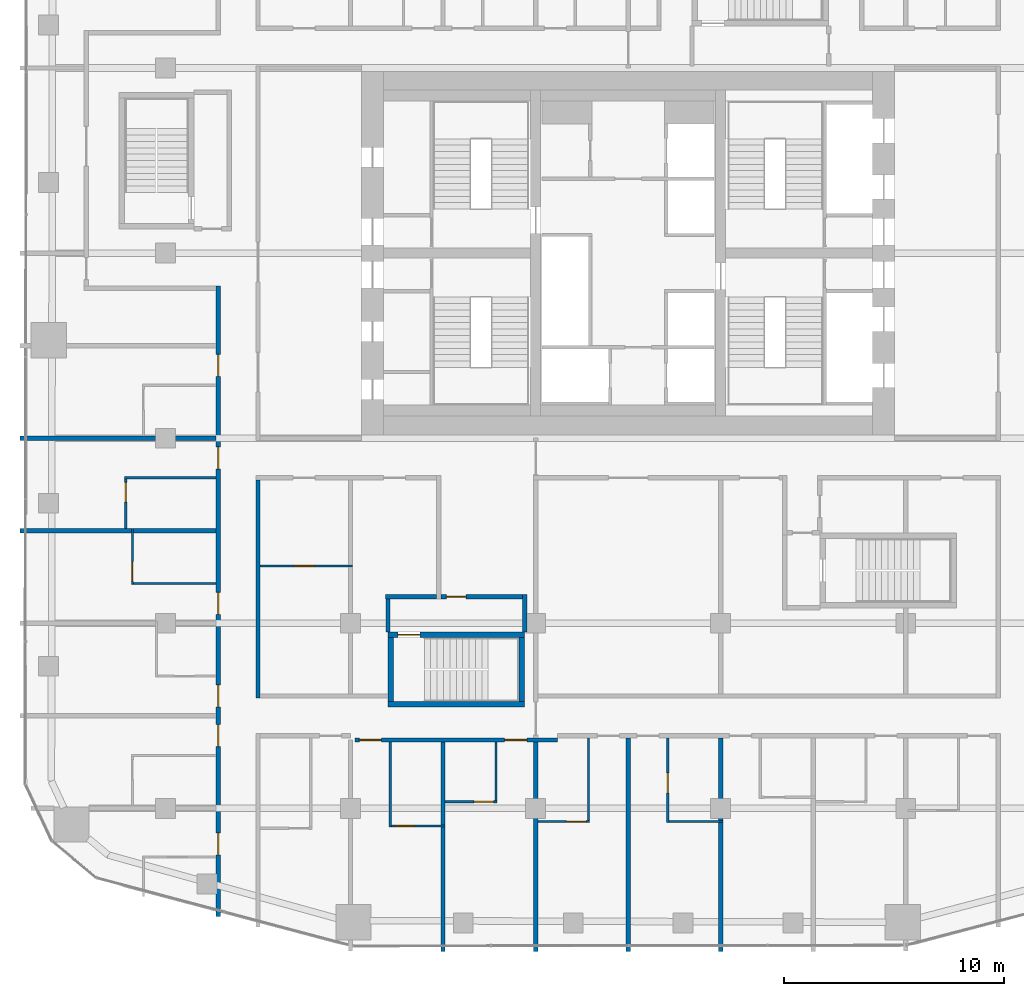
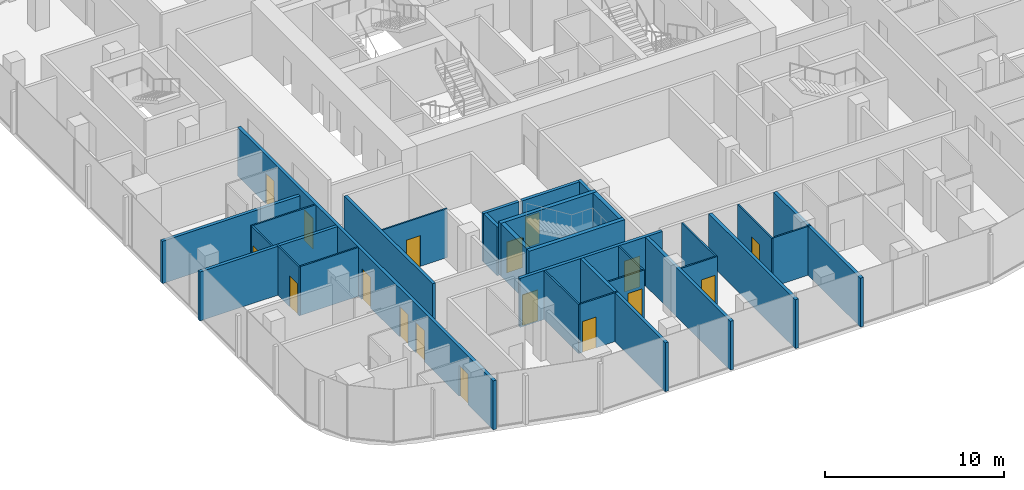
# One storey, part 14 of 23: 30 walls, 17 doors, 17 openings.
"""IFC4 building model written with IfcOpenShell, lengths in metres."""

from ifc_helpers import new_model, si_unit, direction, frame, frame_2d, origin, place, context, subcontext, project, spatial, rectangle, extrude, material, layer, layer_set, type_object, element, fill, save


model = new_model("IFC4")

# Units and contexts
model_context = context("Model", 3, precision=1e-05, world=origin(), true_north=direction((0.0, 1.0)))
body_context = subcontext(model_context, "Body", "Model", "MODEL_VIEW")
ifc_project = project(units=[si_unit("LENGTHUNIT", "METRE"), si_unit("AREAUNIT", "SQUARE_METRE"), si_unit("VOLUMEUNIT", "CUBIC_METRE"), si_unit("PLANEANGLEUNIT", "RADIAN"), si_unit("MASSUNIT", "GRAM", prefix="KILO")], contexts=[model_context])

# Site, building, storey
site_placement = place(None, origin())
site = spatial("IfcSite", under=ifc_project, at=site_placement, CompositionType="ELEMENT")
building_placement = place(site_placement, origin())
building = spatial("IfcBuilding", under=site, at=building_placement, Name="Marenta Gate Hotel Tower", CompositionType="ELEMENT")
storey_placement = place(building_placement, frame((0.0, 0.0, 112.10009765625)))
storey = spatial("IfcBuildingStorey", under=building, at=storey_placement, Name="L24", CompositionType="ELEMENT", Elevation=112.10009765625)

# Walls
ifc_material_1 = material(Name="Concrete blockwork", Category="masonry")
ifc_layer_1 = layer(ifc_material_1, 0.199951171875)
ifc_layer_set_1 = layer_set([ifc_layer_1], Name="Concrete blockwork")
wall_type_1 = type_object("IfcWallType", Name="Compartment wall 200 REI 180", PredefinedType="PARTITIONING", material=ifc_layer_set_1)
wall_1_placement = place(storey_placement, frame((-4.199951171875, -23.300048828125, 0.0), z_axis=(0.0, 0.0, 1.0), x_axis=(0.0, 1.0, 0.0)))
element("IfcWall", 1, at=wall_1_placement, inside=storey, type_object=wall_type_1, Name="L24-PTN-W078", PredefinedType="PARTITIONING", context=body_context, shape_type="SweptSolid", body=[
    extrude(rectangle(XDim=9.5, YDim=0.199951171875, at=frame_2d((4.75, 0.0))), origin(), (0.0, 0.0, 1.0), 3.33984375),
])
ifc_material_2 = material(Name="Concrete C40", Category="concrete")
ifc_layer_2 = layer(ifc_material_2, 0.25)
ifc_layer_set_2 = layer_set([ifc_layer_2], Name="Concrete C40")
wall_type_2 = type_object("IfcWallType", Name="Remote stair enclosure wall 250 REI 180", PredefinedType="SHEAR", material=ifc_layer_set_2)
wall_2_placement = place(storey_placement, frame((-10.89990234375, -12.074951171875, 0.099853515625), z_axis=(0.0, 0.0, 1.0), x_axis=(1.0, 0.0, 0.0)))
element("IfcWall", 2, at=wall_2_placement, inside=storey, type_object=wall_type_2, Name="L24-RS-Z2-1-W1", PredefinedType="SHEAR", context=body_context, shape_type="SweptSolid", body=[
    extrude(rectangle(XDim=6.199951171875, YDim=0.25, at=frame_2d((3.10009765625, 0.0))), origin(), (0.0, 0.0, 1.0), 3.60009765625),
])

# Wall, opening, door
wall_3_placement = place(storey_placement, frame((-10.89990234375, -8.925048828125, 0.099853515625), z_axis=(0.0, 0.0, 1.0), x_axis=(1.0, 0.0, 0.0)))
wall_3 = element("IfcWall", 3, at=wall_3_placement, inside=storey, type_object=wall_type_2, Name="L24-RS-Z2-1-W2", PredefinedType="SHEAR", context=body_context, shape_type="SweptSolid", body=[
    extrude(rectangle(XDim=6.199951171875, YDim=0.25, at=frame_2d((3.10009765625, 0.0))), origin(), (0.0, 0.0, 1.0), 3.60009765625),
])
opening_1_placement = place(wall_3_placement, frame((0.449951171875, 0.0, 0.0)))
opening_1 = element("IfcOpeningElement", 4, at=opening_1_placement, cuts=wall_3, Name="Opening VD", PredefinedType="OPENING", context=body_context, shape_type="SweptSolid", body=[
    extrude(rectangle(XDim=1.0, YDim=2.10009765625, at=frame_2d((0.5, 1.050048828125))), frame((0.0, 0.125, 0.0), z_axis=(0.0, -1.0, 0.0), x_axis=(1.0, 0.0, 0.0)), (0.0, 0.0, 1.0), 0.25),
])
ifc_material_3 = material(Name="Steel", Category="steel")
door_type_1 = type_object("IfcDoorType", Name="Stair vestibule door 1000x2100 FD60", OperationType="SINGLE_SWING_LEFT", PredefinedType="DOOR", material=ifc_material_3)
door_1_placement = place(opening_1_placement, origin())
door_1 = element("IfcDoor", 5, at=door_1_placement, inside=storey, type_object=door_type_1, Name="VD", OperationType="SINGLE_SWING_LEFT", OverallHeight=2.10009765625, OverallWidth=1.0, PredefinedType="DOOR", context=body_context, shape_type="SweptSolid", body=[
    extrude(rectangle(XDim=1.0, YDim=2.10009765625, at=frame_2d((0.5, 1.050048828125))), frame((0.0, 0.02490234375, 0.0), z_axis=(0.0, -1.0, 0.0), x_axis=(1.0, 0.0, 0.0)), (0.0, 0.0, 1.0), 0.050048828125),
])
fill(opening_1, door_1)

# Walls
for number, where, z_axis, x_axis, name in (
    (6, (-10.77490234375, -11.949951171875, 0.099853515625), (0.0, 0.0, 1.0), (0.0, 1.0, 0.0), "L24-RS-Z2-1-W3"),
    (7, (-4.824951171875, -11.949951171875, 0.099853515625), (0.0, 0.0, 1.0), (0.0, 1.0, 0.0), "L24-RS-Z2-1-W4"),
):
    element("IfcWall", number, at=place(storey_placement, frame(where, z_axis=z_axis, x_axis=x_axis)), inside=storey, type_object=wall_type_2, Name=name, PredefinedType="SHEAR", context=body_context, shape_type="SweptSolid", body=[
        extrude(rectangle(XDim=2.89990234375, YDim=0.25, at=frame_2d((1.449951171875, 0.0))), origin(), (0.0, 0.0, 1.0), 3.60009765625),
    ])

# Wall, openings, doors
ifc_material_4 = material(Name="Gypsum board on steel stud", Category="steel")
ifc_layer_3 = layer(ifc_material_4, 0.199951171875)
ifc_layer_set_3 = layer_set([ifc_layer_3], Name="Gypsum board on steel stud")
wall_type_3 = type_object("IfcWallType", Name="Room corridor wall 200 EI 60", PredefinedType="PARTITIONING", material=ifc_layer_set_3)
wall_4_placement = place(storey_placement, frame((-12.39990234375, -13.699951171875, 0.0), z_axis=(0.0, 0.0, 1.0), x_axis=(1.0, 0.0, 0.0)))
wall_4 = element("IfcWall", 8, at=wall_4_placement, inside=storey, type_object=wall_type_3, Name="L24-PTN-W028", PredefinedType="PARTITIONING", context=body_context, shape_type="SweptSolid", body=[
    extrude(rectangle(XDim=9.199951171875, YDim=0.199951171875, at=frame_2d((4.60009765625, 0.0))), origin(), (0.0, 0.0, 1.0), 3.33984375),
])
opening_2_placement = place(wall_4_placement, frame((0.199951171875, 0.0, 0.0)))
opening_2 = element("IfcOpeningElement", 9, at=opening_2_placement, cuts=wall_4, Name="Opening G08-39", PredefinedType="OPENING", context=body_context, shape_type="SweptSolid", body=[
    extrude(rectangle(XDim=1.0, YDim=2.10009765625, at=frame_2d((0.5, 1.050048828125))), frame((0.0, 0.10009765625, 0.0), z_axis=(0.0, -1.0, 0.0), x_axis=(1.0, 0.0, 0.0)), (0.0, 0.0, 1.0), 0.199951171875),
])
opening_3_placement = place(wall_4_placement, frame((6.800048828125, 0.0, 0.0)))
opening_3 = element("IfcOpeningElement", 10, at=opening_3_placement, cuts=wall_4, Name="Opening G08-41", PredefinedType="OPENING", context=body_context, shape_type="SweptSolid", body=[
    extrude(rectangle(XDim=1.0, YDim=2.10009765625, at=frame_2d((0.5, 1.050048828125))), frame((0.0, 0.10009765625, 0.0), z_axis=(0.0, -1.0, 0.0), x_axis=(1.0, 0.0, 0.0)), (0.0, 0.0, 1.0), 0.199951171875),
])
ifc_material_5 = material(Name="Timber door leaf", Category="wood")
door_type_2 = type_object("IfcDoorType", Name="Guest room door 1000x2100 EI 30", OperationType="NOTDEFINED", PredefinedType="DOOR", material=ifc_material_5)
door_2_placement = place(opening_2_placement, origin())
door_2 = element("IfcDoor", 11, at=door_2_placement, inside=storey, type_object=door_type_2, Name="L24-PD-D039", OperationType="SINGLE_SWING_RIGHT", OverallHeight=2.10009765625, OverallWidth=1.0, PredefinedType="DOOR", context=body_context, shape_type="SweptSolid", body=[
    extrude(rectangle(XDim=1.0, YDim=2.10009765625, at=frame_2d((0.5, 1.050048828125))), frame((0.0, 0.02490234375, 0.0), z_axis=(0.0, -1.0, 0.0), x_axis=(1.0, 0.0, 0.0)), (0.0, 0.0, 1.0), 0.050048828125),
])
fill(opening_2, door_2)
door_3_placement = place(opening_3_placement, origin())
door_3 = element("IfcDoor", 12, at=door_3_placement, inside=storey, type_object=door_type_2, Name="L24-PD-D041", OperationType="SINGLE_SWING_LEFT", OverallHeight=2.10009765625, OverallWidth=1.0, PredefinedType="DOOR", context=body_context, shape_type="SweptSolid", body=[
    extrude(rectangle(XDim=1.0, YDim=2.10009765625, at=frame_2d((0.5, 1.050048828125))), frame((0.0, 0.02490234375, 0.0), z_axis=(0.0, -1.0, 0.0), x_axis=(1.0, 0.0, 0.0)), (0.0, 0.0, 1.0), 0.050048828125),
])
fill(opening_3, door_3)

# Wall
wall_5_placement = place(storey_placement, frame((-16.800048828125, -11.800048828125, 0.0), z_axis=(0.0, 0.0, 1.0), x_axis=(0.0, 1.0, 0.0)))
element("IfcWall", 13, at=wall_5_placement, inside=storey, type_object=wall_type_3, Name="L24-PTN-W104", PredefinedType="PARTITIONING", context=body_context, shape_type="SweptSolid", body=[
    extrude(rectangle(XDim=9.900146484375, YDim=0.199951171875, at=frame_2d((4.9501953125, 0.0))), origin(), (0.0, 0.0, 1.0), 3.33984375),
])

# Wall, openings, doors
wall_6_placement = place(storey_placement, frame((-18.60009765625, -21.7080078125, 0.0), z_axis=(0.0, 0.0, 1.0), x_axis=(0.0, 1.0, 0.0)))
wall_6 = element("IfcWall", 14, at=wall_6_placement, inside=storey, type_object=wall_type_3, Name="L24-PTN-W110", PredefinedType="PARTITIONING", context=body_context, shape_type="SweptSolid", body=[
    extrude(rectangle(XDim=28.60791015625, YDim=0.199951171875, at=frame_2d((14.303955078125, 0.0))), origin(), (0.0, 0.0, 1.0), 3.33984375),
])
opening_4_placement = place(wall_6_placement, frame((2.800048828125, 0.0, 0.0)))
opening_4 = element("IfcOpeningElement", 15, at=opening_4_placement, cuts=wall_6, Name="Opening G08-53", PredefinedType="OPENING", context=body_context, shape_type="SweptSolid", body=[
    extrude(rectangle(XDim=1.0, YDim=2.10009765625, at=frame_2d((0.5, 1.050048828125))), frame((0.0, 0.10009765625, 0.0), z_axis=(0.0, -1.0, 0.0), x_axis=(1.0, 0.0, 0.0)), (0.0, 0.0, 1.0), 0.199951171875),
])
opening_5_placement = place(wall_6_placement, frame((7.7080078125, 0.0, 0.0)))
opening_5 = element("IfcOpeningElement", 16, at=opening_5_placement, cuts=wall_6, Name="Opening G08-55", PredefinedType="OPENING", context=body_context, shape_type="SweptSolid", body=[
    extrude(rectangle(XDim=1.0, YDim=2.10009765625, at=frame_2d((0.5, 1.050048828125))), frame((0.0, 0.10009765625, 0.0), z_axis=(0.0, -1.0, 0.0), x_axis=(1.0, 0.0, 0.0)), (0.0, 0.0, 1.0), 0.199951171875),
])
opening_6_placement = place(wall_6_placement, frame((9.508056640625, 0.0, 0.0)))
opening_6 = element("IfcOpeningElement", 17, at=opening_6_placement, cuts=wall_6, Name="Opening G08-57", PredefinedType="OPENING", context=body_context, shape_type="SweptSolid", body=[
    extrude(rectangle(XDim=1.0, YDim=2.10009765625, at=frame_2d((0.5, 1.050048828125))), frame((0.0, 0.10009765625, 0.0), z_axis=(0.0, -1.0, 0.0), x_axis=(1.0, 0.0, 0.0)), (0.0, 0.0, 1.0), 0.199951171875),
])
opening_7_placement = place(wall_6_placement, frame((13.7080078125, 0.0, 0.0)))
opening_7 = element("IfcOpeningElement", 18, at=opening_7_placement, cuts=wall_6, Name="Opening G08-59", PredefinedType="OPENING", context=body_context, shape_type="SweptSolid", body=[
    extrude(rectangle(XDim=1.0, YDim=2.10009765625, at=frame_2d((0.5, 1.050048828125))), frame((0.0, 0.10009765625, 0.0), z_axis=(0.0, -1.0, 0.0), x_axis=(1.0, 0.0, 0.0)), (0.0, 0.0, 1.0), 0.199951171875),
])
opening_8_placement = place(wall_6_placement, frame((20.30810546875, 0.0, 0.0)))
opening_8 = element("IfcOpeningElement", 19, at=opening_8_placement, cuts=wall_6, Name="Opening G08-61", PredefinedType="OPENING", context=body_context, shape_type="SweptSolid", body=[
    extrude(rectangle(XDim=1.0, YDim=2.10009765625, at=frame_2d((0.5, 1.050048828125))), frame((0.0, 0.10009765625, 0.0), z_axis=(0.0, -1.0, 0.0), x_axis=(1.0, 0.0, 0.0)), (0.0, 0.0, 1.0), 0.199951171875),
])
opening_9_placement = place(wall_6_placement, frame((24.508056640625, 0.0, 0.0)))
opening_9 = element("IfcOpeningElement", 20, at=opening_9_placement, cuts=wall_6, Name="Opening G08-63", PredefinedType="OPENING", context=body_context, shape_type="SweptSolid", body=[
    extrude(rectangle(XDim=1.0, YDim=2.10009765625, at=frame_2d((0.5, 1.050048828125))), frame((0.0, 0.10009765625, 0.0), z_axis=(0.0, -1.0, 0.0), x_axis=(1.0, 0.0, 0.0)), (0.0, 0.0, 1.0), 0.199951171875),
])
door_4_placement = place(opening_4_placement, origin())
door_4 = element("IfcDoor", 21, at=door_4_placement, inside=storey, type_object=door_type_2, Name="L24-PD-D053", OperationType="SINGLE_SWING_LEFT", OverallHeight=2.10009765625, OverallWidth=1.0, PredefinedType="DOOR", context=body_context, shape_type="SweptSolid", body=[
    extrude(rectangle(XDim=1.0, YDim=2.10009765625, at=frame_2d((0.5, 1.050048828125))), frame((0.0, 0.02490234375, 0.0), z_axis=(0.0, -1.0, 0.0), x_axis=(1.0, 0.0, 0.0)), (0.0, 0.0, 1.0), 0.050048828125),
])
fill(opening_4, door_4)
door_5_placement = place(opening_5_placement, origin())
door_5 = element("IfcDoor", 22, at=door_5_placement, inside=storey, type_object=door_type_2, Name="L24-PD-D055", OperationType="SINGLE_SWING_RIGHT", OverallHeight=2.10009765625, OverallWidth=1.0, PredefinedType="DOOR", context=body_context, shape_type="SweptSolid", body=[
    extrude(rectangle(XDim=1.0, YDim=2.10009765625, at=frame_2d((0.5, 1.050048828125))), frame((0.0, 0.02490234375, 0.0), z_axis=(0.0, -1.0, 0.0), x_axis=(1.0, 0.0, 0.0)), (0.0, 0.0, 1.0), 0.050048828125),
])
fill(opening_5, door_5)
door_6_placement = place(opening_6_placement, origin())
door_6 = element("IfcDoor", 23, at=door_6_placement, inside=storey, type_object=door_type_2, Name="L24-PD-D057", OperationType="SINGLE_SWING_RIGHT", OverallHeight=2.10009765625, OverallWidth=1.0, PredefinedType="DOOR", context=body_context, shape_type="SweptSolid", body=[
    extrude(rectangle(XDim=1.0, YDim=2.10009765625, at=frame_2d((0.5, 1.050048828125))), frame((0.0, 0.02490234375, 0.0), z_axis=(0.0, -1.0, 0.0), x_axis=(1.0, 0.0, 0.0)), (0.0, 0.0, 1.0), 0.050048828125),
])
fill(opening_6, door_6)
door_7_placement = place(opening_7_placement, origin())
door_7 = element("IfcDoor", 24, at=door_7_placement, inside=storey, type_object=door_type_2, Name="L24-PD-D059", OperationType="SINGLE_SWING_RIGHT", OverallHeight=2.10009765625, OverallWidth=1.0, PredefinedType="DOOR", context=body_context, shape_type="SweptSolid", body=[
    extrude(rectangle(XDim=1.0, YDim=2.10009765625, at=frame_2d((0.5, 1.050048828125))), frame((0.0, 0.02490234375, 0.0), z_axis=(0.0, -1.0, 0.0), x_axis=(1.0, 0.0, 0.0)), (0.0, 0.0, 1.0), 0.050048828125),
])
fill(opening_7, door_7)
door_8_placement = place(opening_8_placement, origin())
door_8 = element("IfcDoor", 25, at=door_8_placement, inside=storey, type_object=door_type_2, Name="L24-PD-D061", OperationType="SINGLE_SWING_RIGHT", OverallHeight=2.10009765625, OverallWidth=1.0, PredefinedType="DOOR", context=body_context, shape_type="SweptSolid", body=[
    extrude(rectangle(XDim=1.0, YDim=2.10009765625, at=frame_2d((0.5, 1.050048828125))), frame((0.0, 0.02490234375, 0.0), z_axis=(0.0, -1.0, 0.0), x_axis=(1.0, 0.0, 0.0)), (0.0, 0.0, 1.0), 0.050048828125),
])
fill(opening_8, door_8)
door_9_placement = place(opening_9_placement, origin())
door_9 = element("IfcDoor", 26, at=door_9_placement, inside=storey, type_object=door_type_2, Name="L24-PD-D063", OperationType="SINGLE_SWING_RIGHT", OverallHeight=2.10009765625, OverallWidth=1.0, PredefinedType="DOOR", context=body_context, shape_type="SweptSolid", body=[
    extrude(rectangle(XDim=1.0, YDim=2.10009765625, at=frame_2d((0.5, 1.050048828125))), frame((0.0, 0.02490234375, 0.0), z_axis=(0.0, -1.0, 0.0), x_axis=(1.0, 0.0, 0.0)), (0.0, 0.0, 1.0), 0.050048828125),
])
fill(opening_9, door_9)

# Wall, opening, door
ifc_material_6 = material(Name="Concrete blockwork", Category="masonry")
ifc_layer_4 = layer(ifc_material_6, 0.199951171875)
ifc_layer_set_4 = layer_set([ifc_layer_4], Name="Concrete blockwork")
wall_type_4 = type_object("IfcWallType", Name="Room corridor wall 200 REI 180", PredefinedType="PARTITIONING", material=ifc_layer_set_4)
wall_7_placement = place(storey_placement, frame((-8.5, -7.199951171875, 0.0), z_axis=(0.0, 0.0, 1.0), x_axis=(1.0, 0.0, 0.0)))
wall_7 = element("IfcWall", 27, at=wall_7_placement, inside=storey, type_object=wall_type_4, Name="L24-PTN-W050", PredefinedType="PARTITIONING", context=body_context, shape_type="SweptSolid", body=[
    extrude(rectangle(XDim=3.699951171875, YDim=0.199951171875, at=frame_2d((1.85009765625, 0.0))), origin(), (0.0, 0.0, 1.0), 3.33984375),
])
opening_10_placement = place(wall_7_placement, frame((0.25, 0.0, 0.0)))
opening_10 = element("IfcOpeningElement", 28, at=opening_10_placement, cuts=wall_7, Name="Opening G08-67", PredefinedType="OPENING", context=body_context, shape_type="SweptSolid", body=[
    extrude(rectangle(XDim=0.89990234375, YDim=2.10009765625, at=frame_2d((0.449951171875, 1.050048828125))), frame((0.0, 0.10009765625, 0.0), z_axis=(0.0, -1.0, 0.0), x_axis=(1.0, 0.0, 0.0)), (0.0, 0.0, 1.0), 0.199951171875),
])
ifc_material_7 = material(Name="Hollow steel door set", Category="steel")
door_type_3 = type_object("IfcDoorType", Name="Stair vestibule door 900x2100 EI 60", OperationType="NOTDEFINED", PredefinedType="DOOR", material=ifc_material_7)
door_10_placement = place(opening_10_placement, origin())
door_10 = element("IfcDoor", 29, at=door_10_placement, inside=storey, type_object=door_type_3, Name="L24-PD-D067", OperationType="SINGLE_SWING_RIGHT", OverallHeight=2.10009765625, OverallWidth=0.89990234375, PredefinedType="DOOR", context=body_context, shape_type="SweptSolid", body=[
    extrude(rectangle(XDim=0.89990234375, YDim=2.10009765625, at=frame_2d((0.449951171875, 1.050048828125))), frame((0.0, 0.02490234375, 0.0), z_axis=(0.0, -1.0, 0.0), x_axis=(1.0, 0.0, 0.0)), (0.0, 0.0, 1.0), 0.050048828125),
])
fill(opening_10, door_10)

# Wall
wall_8_placement = place(storey_placement, frame((-4.699951171875, -8.800048828125, 0.0), z_axis=(0.0, 0.0, 1.0), x_axis=(0.0, 1.0, 0.0)))
element("IfcWall", 30, at=wall_8_placement, inside=storey, type_object=wall_type_4, Name="L24-PTN-W082", PredefinedType="PARTITIONING", context=body_context, shape_type="SweptSolid", body=[
    extrude(rectangle(XDim=1.699951171875, YDim=0.199951171875, at=frame_2d((0.85009765625, 0.0))), origin(), (0.0, 0.0, 1.0), 3.33984375),
])

# Wall, opening, door
ifc_material_8 = material(Name="Gypsum board on steel stud", Category="steel")
ifc_layer_5 = layer(ifc_material_8, 0.10009765625)
ifc_layer_set_5 = layer_set([ifc_layer_5], Name="Gypsum board on steel stud")
wall_type_5 = type_object("IfcWallType", Name="Room partition 100", PredefinedType="PARTITIONING", material=ifc_layer_set_5)
wall_9_placement = place(storey_placement, frame((-10.75, -17.60009765625, 0.0), z_axis=(0.0, 0.0, 1.0), x_axis=(1.0, 0.0, 0.0)))
wall_9 = element("IfcWall", 31, at=wall_9_placement, inside=storey, type_object=wall_type_5, Name="L24-PTN-W012", PredefinedType="PARTITIONING", context=body_context, shape_type="SweptSolid", body=[
    extrude(rectangle(XDim=2.449951171875, YDim=0.10009765625, at=frame_2d((1.22509765625, 0.0))), origin(), (0.0, 0.0, 1.0), 3.33984375),
])
opening_11_placement = place(wall_9_placement, frame((0.14990234375, 0.0, 0.0)))
opening_11 = element("IfcOpeningElement", 32, at=opening_11_placement, cuts=wall_9, Name="Opening G08-40", PredefinedType="OPENING", context=body_context, shape_type="SweptSolid", body=[
    extrude(rectangle(XDim=0.89990234375, YDim=2.10009765625, at=frame_2d((0.449951171875, 1.050048828125))), frame((0.0, 0.050048828125, 0.0), z_axis=(0.0, -1.0, 0.0), x_axis=(1.0, 0.0, 0.0)), (0.0, 0.0, 1.0), 0.10009765625),
])
ifc_material_9 = material(Name="Timber door leaf", Category="wood")
door_type_4 = type_object("IfcDoorType", Name="Guest bathroom door 900x2100", OperationType="NOTDEFINED", PredefinedType="DOOR", material=ifc_material_9)
door_11_placement = place(opening_11_placement, origin())
door_11 = element("IfcDoor", 33, at=door_11_placement, inside=storey, type_object=door_type_4, Name="L24-PD-D040", OperationType="SINGLE_SWING_LEFT", OverallHeight=2.10009765625, OverallWidth=0.89990234375, PredefinedType="DOOR", context=body_context, shape_type="SweptSolid", body=[
    extrude(rectangle(XDim=0.89990234375, YDim=2.10009765625, at=frame_2d((0.449951171875, 1.050048828125))), frame((0.0, 0.02490234375, 0.0), z_axis=(0.0, -1.0, 0.0), x_axis=(1.0, 0.0, 0.0)), (0.0, 0.0, 1.0), 0.050048828125),
])
fill(opening_11, door_11)

wall_10_placement = place(storey_placement, frame((-4.10009765625, -17.39990234375, 0.0), z_axis=(0.0, 0.0, 1.0), x_axis=(1.0, 0.0, 0.0)))
wall_10 = element("IfcWall", 34, at=wall_10_placement, inside=storey, type_object=wall_type_5, Name="L24-PTN-W013", PredefinedType="PARTITIONING", context=body_context, shape_type="SweptSolid", body=[
    extrude(rectangle(XDim=2.35009765625, YDim=0.10009765625, at=frame_2d((1.175048828125, 0.0))), origin(), (0.0, 0.0, 1.0), 3.33984375),
])
opening_12_placement = place(wall_10_placement, frame((1.300048828125, 0.0, 0.0)))
opening_12 = element("IfcOpeningElement", 35, at=opening_12_placement, cuts=wall_10, Name="Opening G08-44", PredefinedType="OPENING", context=body_context, shape_type="SweptSolid", body=[
    extrude(rectangle(XDim=0.89990234375, YDim=2.10009765625, at=frame_2d((0.449951171875, 1.050048828125))), frame((0.0, 0.050048828125, 0.0), z_axis=(0.0, -1.0, 0.0), x_axis=(1.0, 0.0, 0.0)), (0.0, 0.0, 1.0), 0.10009765625),
])
door_12_placement = place(opening_12_placement, origin())
door_12 = element("IfcDoor", 36, at=door_12_placement, inside=storey, type_object=door_type_4, Name="L24-PD-D044", OperationType="SINGLE_SWING_RIGHT", OverallHeight=2.10009765625, OverallWidth=0.89990234375, PredefinedType="DOOR", context=body_context, shape_type="SweptSolid", body=[
    extrude(rectangle(XDim=0.89990234375, YDim=2.10009765625, at=frame_2d((0.449951171875, 1.050048828125))), frame((0.0, 0.02490234375, 0.0), z_axis=(0.0, -1.0, 0.0), x_axis=(1.0, 0.0, 0.0)), (0.0, 0.0, 1.0), 0.050048828125),
])
fill(opening_12, door_12)

# Wall
wall_11_placement = place(storey_placement, frame((1.85009765625, -17.39990234375, 0.0), z_axis=(0.0, 0.0, 1.0), x_axis=(1.0, 0.0, 0.0)))
element("IfcWall", 37, at=wall_11_placement, inside=storey, type_object=wall_type_5, Name="L24-PTN-W014", PredefinedType="PARTITIONING", context=body_context, shape_type="SweptSolid", body=[
    extrude(rectangle(XDim=2.449951171875, YDim=0.10009765625, at=frame_2d((1.22509765625, 0.0))), origin(), (0.0, 0.0, 1.0), 3.33984375),
])

# Wall, opening, door
wall_12_placement = place(storey_placement, frame((-8.300048828125, -16.5, 0.0), z_axis=(0.0, 0.0, 1.0), x_axis=(1.0, 0.0, 0.0)))
wall_12 = element("IfcWall", 38, at=wall_12_placement, inside=storey, type_object=wall_type_5, Name="L24-PTN-W021", PredefinedType="PARTITIONING", context=body_context, shape_type="SweptSolid", body=[
    extrude(rectangle(XDim=2.35009765625, YDim=0.10009765625, at=frame_2d((1.175048828125, 0.0))), origin(), (0.0, 0.0, 1.0), 3.33984375),
])
opening_13_placement = place(wall_12_placement, frame((1.300048828125, 0.0, 0.0)))
opening_13 = element("IfcOpeningElement", 39, at=opening_13_placement, cuts=wall_12, Name="Opening G08-42", PredefinedType="OPENING", context=body_context, shape_type="SweptSolid", body=[
    extrude(rectangle(XDim=0.89990234375, YDim=2.10009765625, at=frame_2d((0.449951171875, 1.050048828125))), frame((0.0, 0.050048828125, 0.0), z_axis=(0.0, -1.0, 0.0), x_axis=(1.0, 0.0, 0.0)), (0.0, 0.0, 1.0), 0.10009765625),
])
door_13_placement = place(opening_13_placement, origin())
door_13 = element("IfcDoor", 40, at=door_13_placement, inside=storey, type_object=door_type_4, Name="L24-PD-D042", OperationType="SINGLE_SWING_RIGHT", OverallHeight=2.10009765625, OverallWidth=0.89990234375, PredefinedType="DOOR", context=body_context, shape_type="SweptSolid", body=[
    extrude(rectangle(XDim=0.89990234375, YDim=2.10009765625, at=frame_2d((0.449951171875, 1.050048828125))), frame((0.0, 0.02490234375, 0.0), z_axis=(0.0, -1.0, 0.0), x_axis=(1.0, 0.0, 0.0)), (0.0, 0.0, 1.0), 0.050048828125),
])
fill(opening_13, door_13)

# Wall
wall_13_placement = place(storey_placement, frame((-22.449951171875, -6.60009765625, 0.0), z_axis=(0.0, 0.0, 1.0), x_axis=(1.0, 0.0, 0.0)))
element("IfcWall", 41, at=wall_13_placement, inside=storey, type_object=wall_type_5, Name="L24-PTN-W053", PredefinedType="PARTITIONING", context=body_context, shape_type="SweptSolid", body=[
    extrude(rectangle(XDim=3.75, YDim=0.10009765625, at=frame_2d((1.875, 0.0))), origin(), (0.0, 0.0, 1.0), 3.33984375),
])

# Wall, opening, door
wall_14_placement = place(storey_placement, frame((-16.699951171875, -5.800048828125, 0.0), z_axis=(0.0, 0.0, 1.0), x_axis=(1.0, 0.0, 0.0)))
wall_14 = element("IfcWall", 42, at=wall_14_placement, inside=storey, type_object=wall_type_5, Name="L24-PTN-W056", PredefinedType="PARTITIONING", context=body_context, shape_type="SweptSolid", body=[
    extrude(rectangle(XDim=4.199951171875, YDim=0.10009765625, at=frame_2d((2.10009765625, 0.0))), origin(), (0.0, 0.0, 1.0), 3.33984375),
])
opening_14_placement = place(wall_14_placement, frame((1.550048828125, 0.0, 0.0)))
opening_14 = element("IfcOpeningElement", 43, at=opening_14_placement, cuts=wall_14, Name="Opening G08-02", PredefinedType="OPENING", context=body_context, shape_type="SweptSolid", body=[
    extrude(rectangle(XDim=0.89990234375, YDim=2.10009765625, at=frame_2d((0.449951171875, 1.050048828125))), frame((0.0, 0.050048828125, 0.0), z_axis=(0.0, -1.0, 0.0), x_axis=(1.0, 0.0, 0.0)), (0.0, 0.0, 1.0), 0.10009765625),
])
ifc_material_10 = material(Name="Timber door leaf", Category="wood")
door_type_5 = type_object("IfcDoorType", Name="Room inner door 900x2100", OperationType="NOTDEFINED", PredefinedType="DOOR", material=ifc_material_10)
door_14_placement = place(opening_14_placement, origin())
door_14 = element("IfcDoor", 44, at=door_14_placement, inside=storey, type_object=door_type_5, Name="L24-PD-D002", OperationType="SINGLE_SWING_RIGHT", OverallHeight=2.10009765625, OverallWidth=0.89990234375, PredefinedType="DOOR", context=body_context, shape_type="SweptSolid", body=[
    extrude(rectangle(XDim=0.89990234375, YDim=2.10009765625, at=frame_2d((0.449951171875, 1.050048828125))), frame((0.0, 0.02490234375, 0.0), z_axis=(0.0, -1.0, 0.0), x_axis=(1.0, 0.0, 0.0)), (0.0, 0.0, 1.0), 0.050048828125),
])
fill(opening_14, door_14)

wall_15_placement = place(storey_placement, frame((1.800048828125, -17.449951171875, 0.0), z_axis=(0.0, 0.0, 1.0), x_axis=(0.0, 1.0, 0.0)))
wall_15 = element("IfcWall", 45, at=wall_15_placement, inside=storey, type_object=wall_type_5, Name="L24-PTN-W064", PredefinedType="PARTITIONING", context=body_context, shape_type="SweptSolid", body=[
    extrude(rectangle(XDim=3.849853515625, YDim=0.10009765625, at=frame_2d((1.9248046875, 0.0))), origin(), (0.0, 0.0, 1.0), 3.33984375),
])
opening_15_placement = place(wall_15_placement, frame((1.35498046875, 0.0, 0.0)))
opening_15 = element("IfcOpeningElement", 46, at=opening_15_placement, cuts=wall_15, Name="Opening G08-46", PredefinedType="OPENING", context=body_context, shape_type="SweptSolid", body=[
    extrude(rectangle(XDim=0.89990234375, YDim=2.10009765625, at=frame_2d((0.449951171875, 1.050048828125))), frame((0.0, 0.050048828125, 0.0), z_axis=(0.0, -1.0, 0.0), x_axis=(1.0, 0.0, 0.0)), (0.0, 0.0, 1.0), 0.10009765625),
])
door_15_placement = place(opening_15_placement, origin())
door_15 = element("IfcDoor", 47, at=door_15_placement, inside=storey, type_object=door_type_4, Name="L24-PD-D046", OperationType="SINGLE_SWING_RIGHT", OverallHeight=2.10009765625, OverallWidth=0.89990234375, PredefinedType="DOOR", context=body_context, shape_type="SweptSolid", body=[
    extrude(rectangle(XDim=0.89990234375, YDim=2.10009765625, at=frame_2d((0.449951171875, 1.050048828125))), frame((0.0, 0.02490234375, 0.0), z_axis=(0.0, -1.0, 0.0), x_axis=(1.0, 0.0, 0.0)), (0.0, 0.0, 1.0), 0.050048828125),
])
fill(opening_15, door_15)

# Walls
wall_16_placement = place(storey_placement, frame((-22.85009765625, -1.800048828125, 0.0), z_axis=(0.0, 0.0, 1.0), x_axis=(1.0, 0.0, 0.0)))
element("IfcWall", 48, at=wall_16_placement, inside=storey, type_object=wall_type_5, Name="L24-PTN-W065", PredefinedType="PARTITIONING", context=body_context, shape_type="SweptSolid", body=[
    extrude(rectangle(XDim=4.150146484375, YDim=0.10009765625, at=frame_2d((2.0751953125, 0.0))), origin(), (0.0, 0.0, 1.0), 3.33984375),
])
wall_17_placement = place(storey_placement, frame((-1.800048828125, -17.35009765625, 0.0), z_axis=(0.0, 0.0, 1.0), x_axis=(0.0, 1.0, 0.0)))
element("IfcWall", 49, at=wall_17_placement, inside=storey, type_object=wall_type_5, Name="L24-PTN-W075", PredefinedType="PARTITIONING", context=body_context, shape_type="SweptSolid", body=[
    extrude(rectangle(XDim=3.75, YDim=0.10009765625, at=frame_2d((1.875, 0.0))), origin(), (0.0, 0.0, 1.0), 3.33984375),
])
wall_18_placement = place(storey_placement, frame((-6.0, -16.449951171875, 0.0), z_axis=(0.0, 0.0, 1.0), x_axis=(0.0, 1.0, 0.0)))
element("IfcWall", 50, at=wall_18_placement, inside=storey, type_object=wall_type_5, Name="L24-PTN-W083", PredefinedType="PARTITIONING", context=body_context, shape_type="SweptSolid", body=[
    extrude(rectangle(XDim=2.64990234375, YDim=0.10009765625, at=frame_2d((1.324951171875, 0.0))), origin(), (0.0, 0.0, 1.0), 3.33984375),
])
wall_19_placement = place(storey_placement, frame((-10.800048828125, -17.64990234375, 0.0), z_axis=(0.0, 0.0, 1.0), x_axis=(0.0, 1.0, 0.0)))
element("IfcWall", 51, at=wall_19_placement, inside=storey, type_object=wall_type_5, Name="L24-PTN-W094", PredefinedType="PARTITIONING", context=body_context, shape_type="SweptSolid", body=[
    extrude(rectangle(XDim=3.849853515625, YDim=0.10009765625, at=frame_2d((1.9248046875, 0.0))), origin(), (0.0, 0.0, 1.0), 3.33984375),
])

# Wall, opening, door
wall_20_placement = place(storey_placement, frame((-22.5, -6.64990234375, 0.0), z_axis=(0.0, 0.0, 1.0), x_axis=(0.0, 1.0, 0.0)))
wall_20 = element("IfcWall", 52, at=wall_20_placement, inside=storey, type_object=wall_type_5, Name="L24-PTN-W123", PredefinedType="PARTITIONING", context=body_context, shape_type="SweptSolid", body=[
    extrude(rectangle(XDim=2.5498046875, YDim=0.10009765625, at=frame_2d((1.27490234375, 0.0))), origin(), (0.0, 0.0, 1.0), 3.33984375),
])
opening_16_placement = place(wall_20_placement, frame((0.14990234375, 0.0, 0.0)))
opening_16 = element("IfcOpeningElement", 53, at=opening_16_placement, cuts=wall_20, Name="Opening G08-60", PredefinedType="OPENING", context=body_context, shape_type="SweptSolid", body=[
    extrude(rectangle(XDim=0.89990234375, YDim=2.10009765625, at=frame_2d((0.449951171875, 1.050048828125))), frame((0.0, 0.050048828125, 0.0), z_axis=(0.0, -1.0, 0.0), x_axis=(1.0, 0.0, 0.0)), (0.0, 0.0, 1.0), 0.10009765625),
])
door_16_placement = place(opening_16_placement, origin())
door_16 = element("IfcDoor", 54, at=door_16_placement, inside=storey, type_object=door_type_4, Name="L24-PD-D060", OperationType="SINGLE_SWING_RIGHT", OverallHeight=2.10009765625, OverallWidth=0.89990234375, PredefinedType="DOOR", context=body_context, shape_type="SweptSolid", body=[
    extrude(rectangle(XDim=0.89990234375, YDim=2.10009765625, at=frame_2d((0.449951171875, 1.050048828125))), frame((0.0, 0.02490234375, 0.0), z_axis=(0.0, -1.0, 0.0), x_axis=(1.0, 0.0, 0.0)), (0.0, 0.0, 1.0), 0.050048828125),
])
fill(opening_16, door_16)

wall_21_placement = place(storey_placement, frame((-22.800048828125, -4.10009765625, 0.0), z_axis=(0.0, 0.0, 1.0), x_axis=(0.0, 1.0, 0.0)))
wall_21 = element("IfcWall", 55, at=wall_21_placement, inside=storey, type_object=wall_type_5, Name="L24-PTN-W125", PredefinedType="PARTITIONING", context=body_context, shape_type="SweptSolid", body=[
    extrude(rectangle(XDim=2.25, YDim=0.10009765625, at=frame_2d((1.125, 0.0))), origin(), (0.0, 0.0, 1.0), 3.33984375),
])
opening_17_placement = place(wall_21_placement, frame((1.199951171875, 0.0, 0.0)))
opening_17 = element("IfcOpeningElement", 56, at=opening_17_placement, cuts=wall_21, Name="Opening G08-62", PredefinedType="OPENING", context=body_context, shape_type="SweptSolid", body=[
    extrude(rectangle(XDim=0.89990234375, YDim=2.10009765625, at=frame_2d((0.449951171875, 1.050048828125))), frame((0.0, 0.050048828125, 0.0), z_axis=(0.0, -1.0, 0.0), x_axis=(1.0, 0.0, 0.0)), (0.0, 0.0, 1.0), 0.10009765625),
])
door_17_placement = place(opening_17_placement, origin())
door_17 = element("IfcDoor", 57, at=door_17_placement, inside=storey, type_object=door_type_4, Name="L24-PD-D062", OperationType="SINGLE_SWING_LEFT", OverallHeight=2.10009765625, OverallWidth=0.89990234375, PredefinedType="DOOR", context=body_context, shape_type="SweptSolid", body=[
    extrude(rectangle(XDim=0.89990234375, YDim=2.10009765625, at=frame_2d((0.449951171875, 1.050048828125))), frame((0.0, 0.02490234375, 0.0), z_axis=(0.0, -1.0, 0.0), x_axis=(1.0, 0.0, 0.0)), (0.0, 0.0, 1.0), 0.050048828125),
])
fill(opening_17, door_17)

# Walls
ifc_material_11 = material(Name="Gypsum board on steel stud", Category="steel")
ifc_layer_6 = layer(ifc_material_11, 0.199951171875)
ifc_layer_set_6 = layer_set([ifc_layer_6], Name="Gypsum board on steel stud")
wall_type_6 = type_object("IfcWallType", Name="Room party wall 200 EI 60", PredefinedType="PARTITIONING", material=ifc_layer_set_6)
wall_22_placement = place(storey_placement, frame((4.199951171875, -23.300048828125, 0.0), z_axis=(0.0, 0.0, 1.0), x_axis=(0.0, 1.0, 0.0)))
element("IfcWall", 58, at=wall_22_placement, inside=storey, type_object=wall_type_6, Name="L24-PTN-W058", PredefinedType="PARTITIONING", context=body_context, shape_type="SweptSolid", body=[
    extrude(rectangle(XDim=9.699951171875, YDim=0.199951171875, at=frame_2d((4.85009765625, 0.0))), origin(), (0.0, 0.0, 1.0), 3.33984375),
])
wall_23_placement = place(storey_placement, frame((-27.60009765625, -4.199951171875, 0.0), z_axis=(0.0, 0.0, 1.0), x_axis=(1.0, 0.0, 0.0)))
element("IfcWall", 59, at=wall_23_placement, inside=storey, type_object=wall_type_6, Name="L24-PTN-W061", PredefinedType="PARTITIONING", context=body_context, shape_type="SweptSolid", body=[
    extrude(rectangle(XDim=8.900146484375, YDim=0.199951171875, at=frame_2d((4.4501953125, 0.0))), origin(), (0.0, 0.0, 1.0), 3.33984375),
])
wall_24_placement = place(storey_placement, frame((0.0, -23.300048828125, 0.0), z_axis=(0.0, 0.0, 1.0), x_axis=(0.0, 1.0, 0.0)))
element("IfcWall", 60, at=wall_24_placement, inside=storey, type_object=wall_type_6, Name="L24-PTN-W071", PredefinedType="PARTITIONING", context=body_context, shape_type="SweptSolid", body=[
    extrude(rectangle(XDim=9.699951171875, YDim=0.199951171875, at=frame_2d((4.85009765625, 0.0))), origin(), (0.0, 0.0, 1.0), 3.33984375),
])
wall_25_placement = place(storey_placement, frame((-27.60009765625, 0.0, 0.0), z_axis=(0.0, 0.0, 1.0), x_axis=(1.0, 0.0, 0.0)))
element("IfcWall", 61, at=wall_25_placement, inside=storey, type_object=wall_type_6, Name="L24-PTN-W073", PredefinedType="PARTITIONING", context=body_context, shape_type="SweptSolid", body=[
    extrude(rectangle(XDim=8.900146484375, YDim=0.199951171875, at=frame_2d((4.4501953125, 0.0))), origin(), (0.0, 0.0, 1.0), 2.889892578125),
])
wall_26_placement = place(storey_placement, frame((-8.39990234375, -23.300048828125, 0.0), z_axis=(0.0, 0.0, 1.0), x_axis=(0.0, 1.0, 0.0)))
element("IfcWall", 62, at=wall_26_placement, inside=storey, type_object=wall_type_6, Name="L24-PTN-W086", PredefinedType="PARTITIONING", context=body_context, shape_type="SweptSolid", body=[
    extrude(rectangle(XDim=9.5, YDim=0.199951171875, at=frame_2d((4.75, 0.0))), origin(), (0.0, 0.0, 1.0), 3.33984375),
])
ifc_material_12 = material(Name="Concrete blockwork", Category="masonry")
ifc_layer_7 = layer(ifc_material_12, 0.199951171875)
ifc_layer_set_7 = layer_set([ifc_layer_7], Name="Concrete blockwork")
wall_type_7 = type_object("IfcWallType", Name="Room party wall 200 REI 180", PredefinedType="PARTITIONING", material=ifc_layer_set_7)
wall_27_placement = place(storey_placement, frame((-11.0, -7.199951171875, 0.0), z_axis=(0.0, 0.0, 1.0), x_axis=(1.0, 0.0, 0.0)))
element("IfcWall", 63, at=wall_27_placement, inside=storey, type_object=wall_type_7, Name="L24-PTN-W049", PredefinedType="PARTITIONING", context=body_context, shape_type="SweptSolid", body=[
    extrude(rectangle(XDim=2.300048828125, YDim=0.199951171875, at=frame_2d((1.14990234375, 0.0))), origin(), (0.0, 0.0, 1.0), 3.33984375),
])
wall_28_placement = place(storey_placement, frame((-10.89990234375, -8.800048828125, 0.0), z_axis=(0.0, 0.0, 1.0), x_axis=(0.0, 1.0, 0.0)))
element("IfcWall", 64, at=wall_28_placement, inside=storey, type_object=wall_type_7, Name="L24-PTN-W095", PredefinedType="PARTITIONING", context=body_context, shape_type="SweptSolid", body=[
    extrude(rectangle(XDim=1.5, YDim=0.199951171875, at=frame_2d((0.75, 0.0))), origin(), (0.0, 0.0, 1.0), 3.33984375),
])

save(model, "model.ifc")
